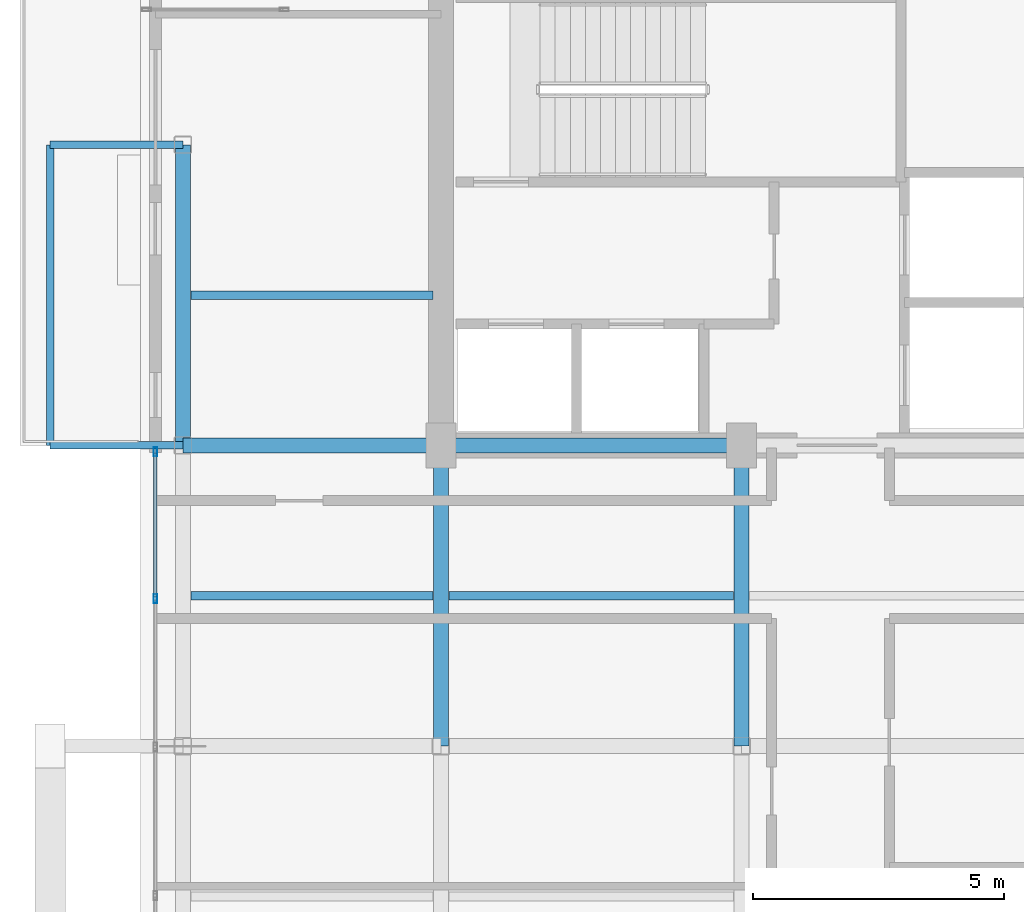
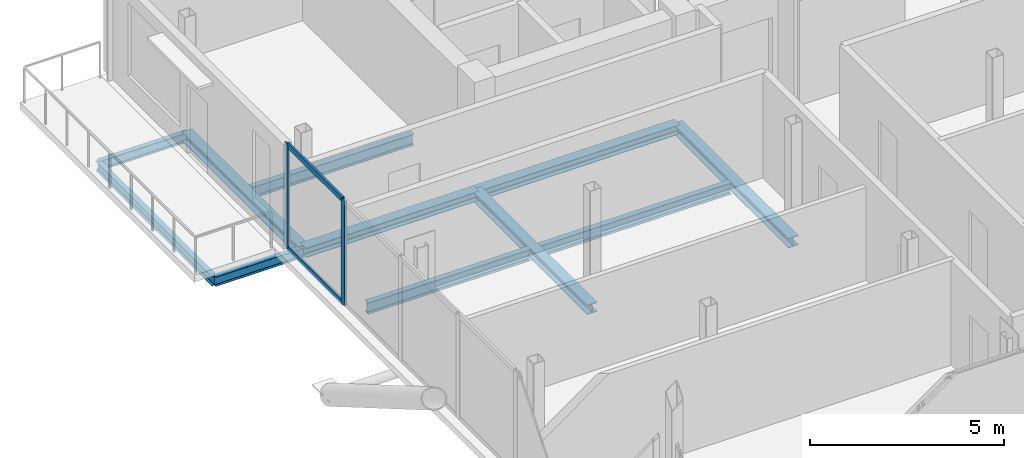
# One storey, part 6 of 18: 11 beams, 4 members, 1 element without a shape of its own.
"""IFC4 building model written with IfcOpenShell, lengths in metres."""

from ifc_helpers import new_model, si_unit, direction, frame, origin, origin_2d, place, context, subcontext, project, spatial, hollow_rectangle, i_section, extrude, material, layer, layer_set, material_profile, profile_set, type_object, element, aggregate, save


model = new_model("IFC4")

# Units and contexts
model_context = context("Model", 3, precision=1e-05, world=origin(), true_north=direction((0.0, 1.0)))
body_context = subcontext(model_context, "Body", "Model", "MODEL_VIEW")
ifc_project = project(units=[si_unit("LENGTHUNIT", "METRE"), si_unit("AREAUNIT", "SQUARE_METRE"), si_unit("VOLUMEUNIT", "CUBIC_METRE"), si_unit("PLANEANGLEUNIT", "RADIAN"), si_unit("MASSUNIT", "GRAM", prefix="KILO"), si_unit("THERMODYNAMICTEMPERATUREUNIT", "KELVIN"), si_unit("POWERUNIT", "WATT")], contexts=[model_context])

# Site, building, storey
site_placement = place(None, origin())
site = spatial("IfcSite", under=ifc_project, at=site_placement, CompositionType="ELEMENT")
building_placement = place(site_placement, origin())
building = spatial("IfcBuilding", under=site, at=building_placement, Name="Svarakhadi Broadcast Tower", CompositionType="ELEMENT")
storey_placement = place(building_placement, frame((0.0, 0.0, 274.699951171875)))
storey = spatial("IfcBuildingStorey", under=building, at=storey_placement, Name="L69", CompositionType="ELEMENT", Elevation=274.699951171875)

# Beams
ifc_material_1 = material(Name="Steel S355J2 (IS 2062 E350C)", Category="steel")
ifc_material_profile_1 = material_profile(ifc_material_1, i_section(OverallWidth=0.169921875, OverallDepth=0.360107421875, WebThickness=0.008056640625, FlangeThickness=0.0126953125, FilletRadius=0.01806640625, at=origin_2d()), Name="NPB 360x170x57")
ifc_profile_set_1 = profile_set([ifc_material_profile_1], Name="Steel S355J2 (IS 2062 E350C)")
beam_type_1 = type_object("IfcBeamType", Name="Beam_NPB360", PredefinedType="BEAM", material=ifc_profile_set_1)
for number, where, z_axis, x_axis, name in (
    (1, (1.010009765625, 15.0, -0.3798828125), (1.0, 0.0, 0.0), (0.0, 1.0, 0.0), "L69 Secondary Composite Beam SB002"),
    (2, (1.010009765625, 21.0, -0.3798828125), (1.0, 0.0, 0.0), (0.0, 1.0, 0.0), "L69 Secondary Composite Beam SB003"),
):
    element("IfcBeam", number, at=place(storey_placement, frame(where, z_axis=z_axis, x_axis=x_axis)), inside=storey, type_object=beam_type_1, Name=name, PredefinedType="BEAM", context=body_context, shape_type="SweptSolid", body=[
        extrude(i_section(OverallWidth=0.169921875, OverallDepth=0.360107421875, WebThickness=0.008056640625, FlangeThickness=0.0126953125, FilletRadius=0.01806640625, at=origin_2d()), origin(), (0.0, 0.0, 1.0), 4.830078125),
    ])
beam_1_placement = place(storey_placement, frame((6.159912109375, 15.0, -0.3798828125), z_axis=(1.0, 0.0, 0.0), x_axis=(0.0, 1.0, 0.0)))
element("IfcBeam", 3, at=beam_1_placement, inside=storey, type_object=beam_type_1, Name="L69 Secondary Composite Beam SB006", PredefinedType="BEAM", context=body_context, shape_type="SweptSolid", body=[
    extrude(i_section(OverallWidth=0.169921875, OverallDepth=0.360107421875, WebThickness=0.008056640625, FlangeThickness=0.0126953125, FilletRadius=0.01806640625, at=origin_2d()), origin(), (0.0, 0.0, 1.0), 5.68017578125),
])

# Curtain wall, members
ifc_material_2 = material(Name="Anodised Bronze Aluminium AA 6063-T6", Category="aluminium")
ifc_layer = layer(ifc_material_2, 0.179931640625)
ifc_layer_set = layer_set([ifc_layer], Name="Anodised Bronze Aluminium AA 6063-T6")
curtain_wall_type = type_object("IfcCurtainWallType", Name="CW_Sys_05", PredefinedType="NOTDEFINED", material=ifc_layer_set)
curtain_wall_placement = place(storey_placement, origin())
curtain_wall = element("IfcCurtainWall", 4, at=curtain_wall_placement, inside=storey, type_object=curtain_wall_type, Name="L69 West Curtain Wall 02", PredefinedType="NOTDEFINED")
ifc_material_profile_2 = material_profile(ifc_material_2, hollow_rectangle(XDim=0.070068359375, YDim=0.179931640625, WallThickness=0.005615234375, at=origin_2d()), Name="ALU MULLION 180x70x6")
ifc_profile_set_2 = profile_set([ifc_material_profile_2], Name="Anodised Bronze Aluminium AA 6063-T6")
member_type_1 = type_object("IfcMemberType", Name="CW_Sys_05_Mul", PredefinedType="MULLION", material=ifc_profile_set_2)
member_1_placement = place(storey_placement, frame((0.300048828125, 14.946044921875, 0.0), z_axis=(0.0, 0.0, 1.0), x_axis=(-1.0, 0.0, 0.0)))
member_1 = element("IfcMember", 5, at=member_1_placement, type_object=member_type_1, Name="CW-05 mullion 5", PredefinedType="MULLION", context=body_context, shape_type="SweptSolid", body=[
    extrude(hollow_rectangle(XDim=0.070068359375, YDim=0.179931640625, WallThickness=0.005615234375, at=origin_2d()), origin(), (0.0, 0.0, 1.0), 3.300048828125),
])
member_2_placement = place(storey_placement, frame((0.300048828125, 17.875, 0.0), z_axis=(0.0, 0.0, 1.0), x_axis=(-1.0, 0.0, 0.0)))
member_2 = element("IfcMember", 6, at=member_2_placement, type_object=member_type_1, Name="CW-05 mullion 6", PredefinedType="MULLION", context=body_context, shape_type="SweptSolid", body=[
    extrude(hollow_rectangle(XDim=0.070068359375, YDim=0.179931640625, WallThickness=0.005615234375, at=origin_2d()), origin(), (0.0, 0.0, 1.0), 3.300048828125),
])
ifc_material_profile_3 = material_profile(ifc_material_2, hollow_rectangle(XDim=0.06494140625, YDim=0.1650390625, WallThickness=0.0048828125, at=origin_2d()), Name="ALU TRANSOM 165x65x5")
ifc_profile_set_3 = profile_set([ifc_material_profile_3], Name="Anodised Bronze Aluminium AA 6063-T6")
member_type_2 = type_object("IfcMemberType", Name="CW_Sys_05_Trn", PredefinedType="USERDEFINED", material=ifc_profile_set_3)
member_3_placement = place(storey_placement, frame((0.300048828125, 14.98095703125, 0.032470703125), z_axis=(0.0, 1.0, 0.0), x_axis=(-1.0, 0.0, 0.0)))
member_3 = element("IfcMember", 7, at=member_3_placement, type_object=member_type_2, Name="CW-05 transom 5.1", ObjectType="TRANSOM", PredefinedType="USERDEFINED", context=body_context, shape_type="SweptSolid", body=[
    extrude(hollow_rectangle(XDim=0.06494140625, YDim=0.1650390625, WallThickness=0.0048828125, at=origin_2d()), origin(), (0.0, 0.0, 1.0), 2.859130859375),
])
member_4_placement = place(storey_placement, frame((0.300048828125, 14.98095703125, 3.267578125), z_axis=(0.0, 1.0, 0.0), x_axis=(-1.0, 0.0, 0.0)))
member_4 = element("IfcMember", 8, at=member_4_placement, type_object=member_type_2, Name="CW-05 transom 5.2", ObjectType="TRANSOM", PredefinedType="USERDEFINED", context=body_context, shape_type="SweptSolid", body=[
    extrude(hollow_rectangle(XDim=0.06494140625, YDim=0.1650390625, WallThickness=0.0048828125, at=origin_2d()), origin(), (0.0, 0.0, 1.0), 2.859130859375),
])
aggregate(curtain_wall, [member_1, member_2, member_3, member_4])

# Beams
ifc_material_profile_4 = material_profile(ifc_material_1, i_section(OverallWidth=0.300048828125, OverallDepth=0.300048828125, WebThickness=0.010986328125, FlangeThickness=0.01904296875, FilletRadius=0.027099609375, at=origin_2d()), Name="WPB 300x300x117")
ifc_profile_set_4 = profile_set([ifc_material_profile_4], Name="Steel S355J2 (IS 2062 E350C)")
beam_type_2 = type_object("IfcBeamType", Name="Girder_WPB300", PredefinedType="USERDEFINED", material=ifc_profile_set_4)
beam_2_placement = place(storey_placement, frame((0.85009765625, 18.0, -0.349853515625), z_axis=(1.0, 0.0, 0.0), x_axis=(0.0, 1.0, 0.0)))
element("IfcBeam", 9, at=beam_2_placement, inside=storey, type_object=beam_type_2, Name="L69 Primary E-W Girder G017", ObjectType="GIRDER", PredefinedType="USERDEFINED", context=body_context, shape_type="SweptSolid", body=[
    extrude(i_section(OverallWidth=0.300048828125, OverallDepth=0.300048828125, WebThickness=0.010986328125, FlangeThickness=0.01904296875, FilletRadius=0.027099609375, at=origin_2d()), origin(), (0.0, 0.0, 1.0), 5.14990234375),
])
for number, where, z_axis, x_axis, name in (
    (10, (6.0, 18.0, -0.349853515625), (1.0, 0.0, 0.0), (0.0, 1.0, 0.0), "L69 Primary E-W Girder G018"),
    (11, (0.85009765625, 18.0, -0.349853515625), (0.0, 1.0, 0.0), (-1.0, 0.0, 0.0), "L69 Primary N-S Girder G028"),
    (12, (6.0, 12.0, -0.349853515625), (0.0, 1.0, 0.0), (-1.0, 0.0, 0.0), "L69 Primary N-S Girder G031"),
    (13, (12.0, 12.0, -0.349853515625), (0.0, 1.0, 0.0), (-1.0, 0.0, 0.0), "L69 Primary N-S Girder G035"),
):
    element("IfcBeam", number, at=place(storey_placement, frame(where, z_axis=z_axis, x_axis=x_axis)), inside=storey, type_object=beam_type_2, Name=name, ObjectType="GIRDER", PredefinedType="USERDEFINED", context=body_context, shape_type="SweptSolid", body=[
        extrude(i_section(OverallWidth=0.300048828125, OverallDepth=0.300048828125, WebThickness=0.010986328125, FlangeThickness=0.01904296875, FilletRadius=0.027099609375, at=origin_2d()), origin(), (0.0, 0.0, 1.0), 6.0),
    ])
ifc_material_profile_5 = material_profile(ifc_material_1, i_section(OverallWidth=0.14990234375, OverallDepth=0.300048828125, WebThickness=0.007080078125, FlangeThickness=0.0107421875, FilletRadius=0.014892578125, at=origin_2d()), Name="NPB 300x150x37")
ifc_profile_set_5 = profile_set([ifc_material_profile_5], Name="Steel S355J2 (IS 2062 E350C)")
beam_type_3 = type_object("IfcBeamType", Name="Spandrel_NPB300", PredefinedType="SPANDREL", material=ifc_profile_set_5)
for number, where, z_axis, x_axis, name in (
    (14, (0.85009765625, 18.0, -0.375), (-1.0, 0.0, 0.0), (0.0, -1.0, 0.0), "L69 Balcony Cantilever Bracket 2A"),
    (15, (0.85009765625, 24.0, -0.375), (-1.0, 0.0, 0.0), (0.0, -1.0, 0.0), "L69 Balcony Cantilever Bracket 2B"),
):
    element("IfcBeam", number, at=place(storey_placement, frame(where, z_axis=z_axis, x_axis=x_axis)), inside=storey, type_object=beam_type_3, Name=name, PredefinedType="SPANDREL", context=body_context, shape_type="SweptSolid", body=[
        extrude(i_section(OverallWidth=0.14990234375, OverallDepth=0.300048828125, WebThickness=0.007080078125, FlangeThickness=0.0107421875, FilletRadius=0.014892578125, at=origin_2d()), origin(), (0.0, 0.0, 1.0), 2.650146484375),
    ])
beam_3_placement = place(storey_placement, frame((-1.800048828125, 18.0, -0.375), z_axis=(0.0, 1.0, 0.0), x_axis=(-1.0, 0.0, 0.0)))
element("IfcBeam", 16, at=beam_3_placement, inside=storey, type_object=beam_type_3, Name="L69 Balcony Outer Spandrel 2F", PredefinedType="SPANDREL", context=body_context, shape_type="SweptSolid", body=[
    extrude(i_section(OverallWidth=0.14990234375, OverallDepth=0.300048828125, WebThickness=0.007080078125, FlangeThickness=0.0107421875, FilletRadius=0.014892578125, at=origin_2d()), origin(), (0.0, 0.0, 1.0), 6.0),
])

save(model, "model.ifc")
